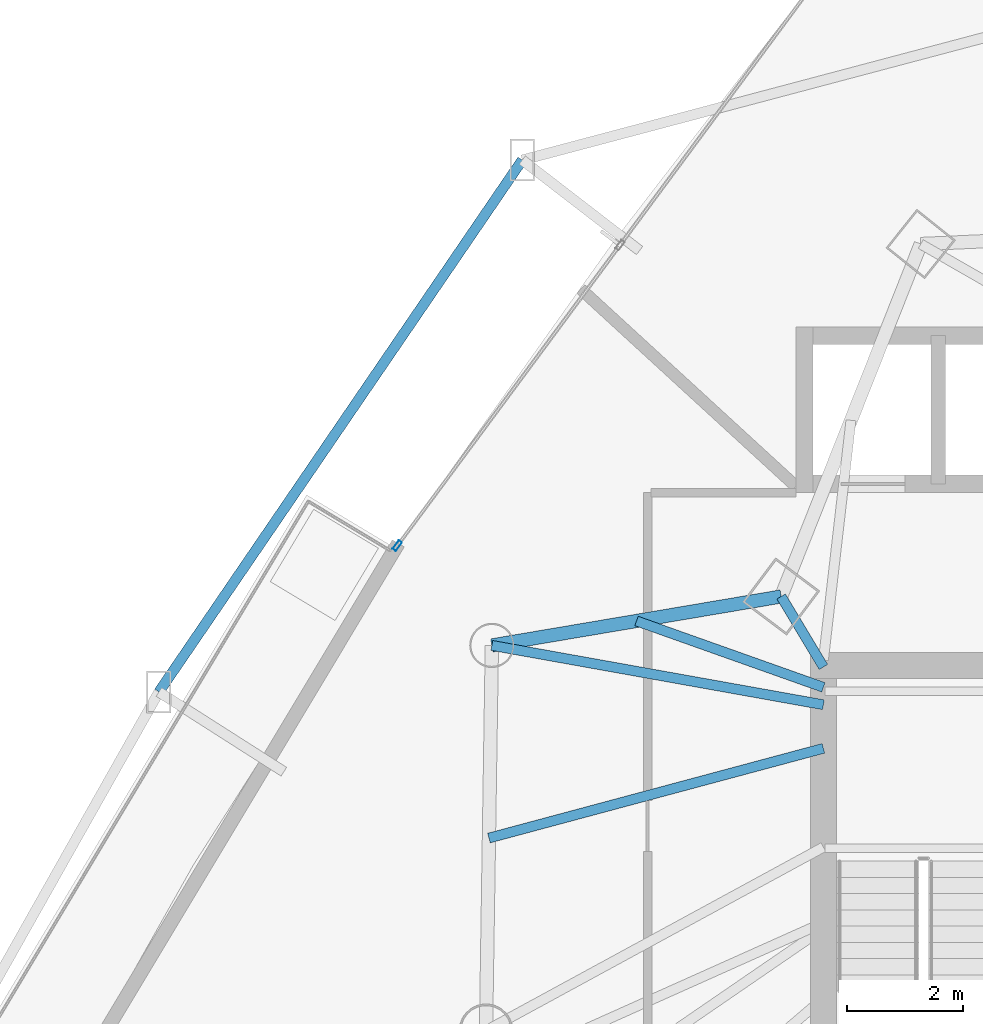
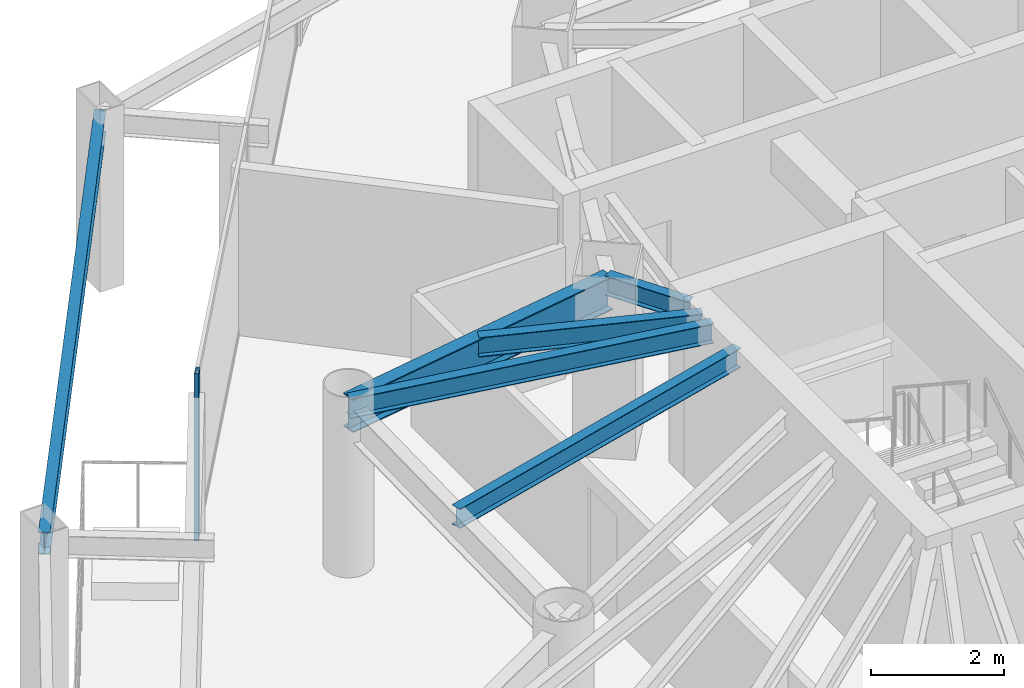
# One storey, part 21 of 35: 6 beams, 1 member, 1 element without a shape of its own.
"""IFC4 building model written with IfcOpenShell, lengths in metres."""

from ifc_helpers import new_model, si_unit, direction, frame, origin, origin_2d, place, context, subcontext, project, spatial, hollow_rectangle, i_section, extrude, material, layer, layer_set, material_profile, profile_set, type_object, element, aggregate, save


model = new_model("IFC4")

# Units and contexts
model_context = context("Model", 3, precision=1e-05, world=origin(), true_north=direction((0.0, 1.0)))
body_context = subcontext(model_context, "Body", "Model", "MODEL_VIEW")
ifc_project = project(units=[si_unit("LENGTHUNIT", "METRE"), si_unit("AREAUNIT", "SQUARE_METRE"), si_unit("VOLUMEUNIT", "CUBIC_METRE"), si_unit("PLANEANGLEUNIT", "RADIAN"), si_unit("MASSUNIT", "GRAM", prefix="KILO")], contexts=[model_context])

# Site, building, storey
site_placement = place(None, origin())
site = spatial("IfcSite", under=ifc_project, at=site_placement, CompositionType="ELEMENT")
building_placement = place(site_placement, origin())
building = spatial("IfcBuilding", under=site, at=building_placement, Name="Orvanel Arch Residences", CompositionType="ELEMENT")
storey_placement = place(building_placement, frame((0.0, 0.0, 33.5)))
storey = spatial("IfcBuildingStorey", under=building, at=storey_placement, Name="L08", CompositionType="ELEMENT", Elevation=33.5)

# Beams
ifc_material_1 = material(Name="Structural steel AS/NZS 3679.1 Grade 300 (300 MPa)", Category="steel")
ifc_material_profile_1 = material_profile(ifc_material_1, i_section(OverallWidth=0.1708984375, OverallDepth=0.35595703125, WebThickness=0.00732421875, FlangeThickness=0.011474609375, at=origin_2d()), Name="360UB50.7")
ifc_profile_set_1 = profile_set([ifc_material_profile_1], Name="Structural steel AS/NZS 3679.1 Grade 300 (300 MPa)")
beam_type_1 = type_object("IfcBeamType", Name="BJ-360UB", PredefinedType="JOIST", material=ifc_profile_set_1)
beam_1_placement = place(storey_placement, frame((26.375, 33.89990234375, 2.882080078125), z_axis=(-0.514064138778, 0.857751748015, 0.0), x_axis=(-0.857751748015, -0.514064138778, 0.0)))
element("IfcBeam", 1, at=beam_1_placement, inside=storey, type_object=beam_type_1, Name="L08 NNW Wing Floor Joist", PredefinedType="JOIST", context=body_context, shape_type="SweptSolid", body=[
    extrude(i_section(OverallWidth=0.1708984375, OverallDepth=0.35595703125, WebThickness=0.00732421875, FlangeThickness=0.011474609375, at=origin_2d()), origin(), (0.0, 0.0, 1.0), 1.414306640625),
])
beam_2_placement = place(storey_placement, frame((26.375, 32.5, 2.882080078125), z_axis=(-0.965844838168, -0.259121107949, 0.0), x_axis=(0.259121107949, -0.965844838168, 0.0)))
element("IfcBeam", 2, at=beam_2_placement, inside=storey, type_object=beam_type_1, Name="L08 WNW Wing Floor Joist", PredefinedType="JOIST", context=body_context, shape_type="SweptSolid", body=[
    extrude(i_section(OverallWidth=0.1708984375, OverallDepth=0.35595703125, WebThickness=0.00732421875, FlangeThickness=0.011474609375, at=origin_2d()), origin(), (0.0, 0.0, 1.0), 5.95849609375),
])
beam_3_placement = place(storey_placement, frame((26.375, 33.25, 2.882080078125), z_axis=(-0.984360855662, 0.176163860766, 0.0), x_axis=(-0.176163860766, -0.984360855662, 0.0)))
element("IfcBeam", 3, at=beam_3_placement, inside=storey, type_object=beam_type_1, Name="L08 LW Wing Floor Joist", PredefinedType="JOIST", context=body_context, shape_type="SweptSolid", body=[
    extrude(i_section(OverallWidth=0.1708984375, OverallDepth=0.35595703125, WebThickness=0.00732421875, FlangeThickness=0.011474609375, at=origin_2d()), origin(), (0.0, 0.0, 1.0), 5.795654296875),
])
beam_4_placement = place(storey_placement, frame((26.375, 33.550048828125, 2.882080078125), z_axis=(-0.942366638377, 0.334582006201, 0.0), x_axis=(-0.334582006201, -0.942366638377, 0.0)))
element("IfcBeam", 4, at=beam_4_placement, inside=storey, type_object=beam_type_1, Name="L08 JADD3 Wing Floor Joist", PredefinedType="JOIST", context=body_context, shape_type="SweptSolid", body=[
    extrude(i_section(OverallWidth=0.1708984375, OverallDepth=0.35595703125, WebThickness=0.00732421875, FlangeThickness=0.011474609375, at=origin_2d()), origin(), (0.0, 0.0, 1.0), 3.412841796875),
])

# Curtain wall, member
ifc_material_2 = material(Name="Bronze-anodised aluminium AA6063-T6", Category="aluminium")
ifc_layer = layer(ifc_material_2, 0.179931640625)
ifc_layer_set = layer_set([ifc_layer], Name="Bronze-anodised aluminium AA6063-T6")
curtain_wall_type = type_object("IfcCurtainWallType", Name="CW2-LOW-SYS", PredefinedType="NOTDEFINED", material=ifc_layer_set)
curtain_wall_placement = place(storey_placement, origin())
curtain_wall = element("IfcCurtainWall", 5, at=curtain_wall_placement, inside=storey, type_object=curtain_wall_type, Name="L08 CW2-LOW-SYS Unitised Curtain Wall", PredefinedType="NOTDEFINED")
ifc_material_profile_2 = material_profile(ifc_material_2, hollow_rectangle(XDim=0.070068359375, YDim=0.179931640625, WallThickness=0.00439453125, at=origin_2d()), Name="ALU180x70x4.5")
ifc_profile_set_2 = profile_set([ifc_material_profile_2], Name="Bronze-anodised aluminium AA6063-T6")
member_type = type_object("IfcMemberType", Name="MUL-180x70", PredefinedType="MULLION", material=ifc_profile_set_2)
member_placement = place(storey_placement, frame((19.041748046875, 35.988037109375, 0.0), z_axis=(0.0, 0.0, 1.0), x_axis=(0.803472332546, -0.595342095633, 0.0)))
member = element("IfcMember", 6, at=member_placement, type_object=member_type, Name="CW-S2 mullion 3", PredefinedType="MULLION", context=body_context, shape_type="SweptSolid", body=[
    extrude(hollow_rectangle(XDim=0.070068359375, YDim=0.179931640625, WallThickness=0.00439453125, at=origin_2d()), origin(), (0.0, 0.0, 1.0), 3.06005859375),
])
aggregate(curtain_wall, [member])

# Beams
ifc_material_profile_3 = material_profile(ifc_material_1, i_section(OverallWidth=0.177978515625, OverallDepth=0.406005859375, WebThickness=0.0078125, FlangeThickness=0.0126953125, at=origin_2d()), Name="410UB59.7")
ifc_profile_set_3 = profile_set([ifc_material_profile_3], Name="Structural steel AS/NZS 3679.1 Grade 300 (300 MPa)")
beam_type_2 = type_object("IfcBeamType", Name="OB-410UB-EXT", PredefinedType="SPANDREL", material=ifc_profile_set_3)
beam_5_placement = place(storey_placement, frame((21.193115234375, 42.623046875, 2.85693359375), z_axis=(-0.564102672435, -0.825704653585, 0.0), x_axis=(0.825704653585, -0.564102672435, 0.0)))
element("IfcBeam", 7, at=beam_5_placement, inside=storey, type_object=beam_type_2, Name="L08 Outer Perimeter Floor Ring Beam 01", PredefinedType="SPANDREL", context=body_context, shape_type="SweptSolid", body=[
    extrude(i_section(OverallWidth=0.177978515625, OverallDepth=0.406005859375, WebThickness=0.0078125, FlangeThickness=0.0126953125, at=origin_2d()), origin(), (0.0, 0.0, 1.0), 11.085205078125),
])
ifc_material_profile_4 = material_profile(ifc_material_1, i_section(OverallWidth=0.22900390625, OverallDepth=0.612060546875, WebThickness=0.011962890625, FlangeThickness=0.01953125, at=origin_2d()), Name="610UB125")
ifc_profile_set_4 = profile_set([ifc_material_profile_4], Name="Structural steel AS/NZS 3679.1 Grade 300 (300 MPa)")
beam_type_3 = type_object("IfcBeamType", Name="SP-610UB", PredefinedType="SPANDREL", material=ifc_profile_set_4)
beam_6_placement = place(storey_placement, frame((25.64794921875, 35.113037109375, 2.75390625), z_axis=(-0.985993733897, -0.166782363326, 0.0), x_axis=(0.166782363326, -0.985993733897, 0.0)))
element("IfcBeam", 8, at=beam_6_placement, inside=storey, type_object=beam_type_3, Name="L08 Perimeter Spandrel Beam 19", PredefinedType="SPANDREL", context=body_context, shape_type="SweptSolid", body=[
    extrude(i_section(OverallWidth=0.22900390625, OverallDepth=0.612060546875, WebThickness=0.011962890625, FlangeThickness=0.01953125, at=origin_2d()), origin(), (0.0, 0.0, 1.0), 5.048828125),
])

save(model, "model.ifc")
